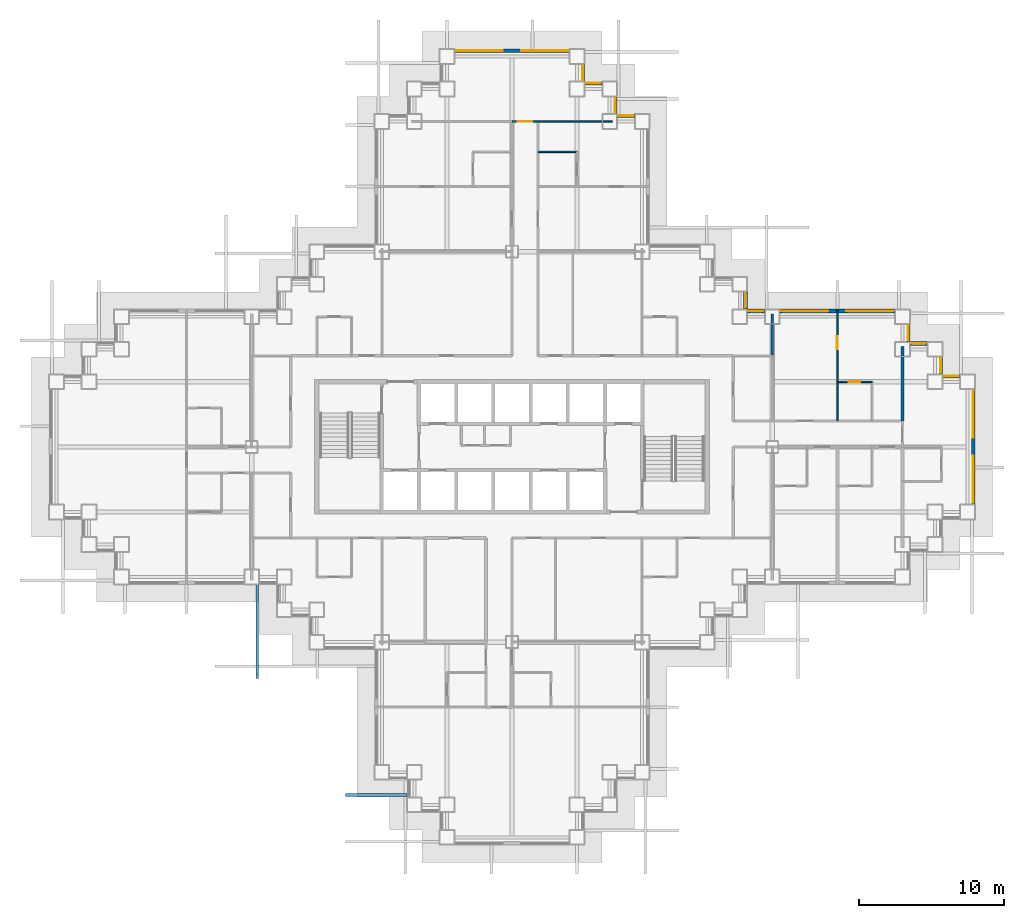
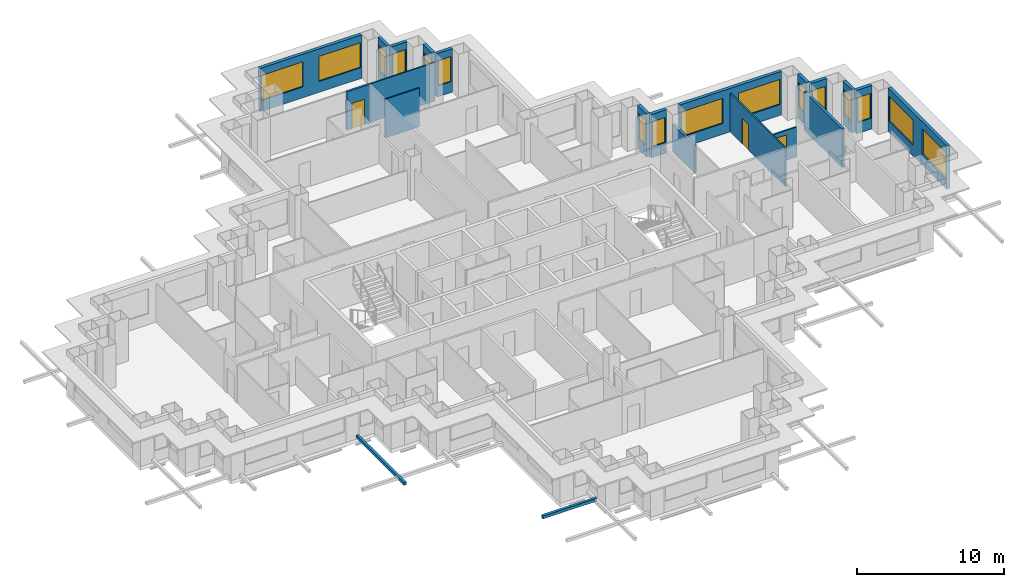
# One storey, part 9 of 15: 20 walls, 16 windows, 3 doors, 2 discrete accessories, 19 openings.
"""IFC4 building model written with IfcOpenShell, lengths in metres."""

from ifc_helpers import new_model, si_unit, direction, frame, frame_2d, origin, origin_2d, place, context, subcontext, project, spatial, rectangle, extrude, material, layer, layer_set, type_object, element, fill, save


model = new_model("IFC4")

# Units and contexts
model_context = context("Model", 3, precision=1e-05, world=origin(), true_north=direction((0.0, 1.0)))
body_context = subcontext(model_context, "Body", "Model", "MODEL_VIEW")
ifc_project = project(units=[si_unit("LENGTHUNIT", "METRE"), si_unit("AREAUNIT", "SQUARE_METRE"), si_unit("VOLUMEUNIT", "CUBIC_METRE"), si_unit("PLANEANGLEUNIT", "RADIAN"), si_unit("MASSUNIT", "GRAM", prefix="KILO")], contexts=[model_context])

# Site, building, storey
site_placement = place(None, origin())
site = spatial("IfcSite", under=ifc_project, at=site_placement, CompositionType="ELEMENT")
building_placement = place(site_placement, origin())
building = spatial("IfcBuilding", under=site, at=building_placement, Name="Caravel Reach Hotel and Residences", CompositionType="ELEMENT")
storey_placement = place(building_placement, frame((0.0, 0.0, 44.39990234375)))
storey = spatial("IfcBuildingStorey", under=building, at=storey_placement, Name="L09", CompositionType="ELEMENT", Elevation=44.39990234375)

# Wall, opening, door
ifc_material_1 = material(Name="Gypsum board on steel stud", Category="steel")
ifc_layer_1 = layer(ifc_material_1, 0.10009765625)
ifc_layer_set_1 = layer_set([ifc_layer_1], Name="Bathroom pod wall 100 mm")
wall_type_1 = type_object("IfcWallType", Name="Bathroom pod wall 100 mm", PredefinedType="PARTITIONING", material=ifc_layer_set_1)
wall_1_placement = place(storey_placement, frame((54.0, 31.5, 0.0), z_axis=(0.0, 0.0, 1.0), x_axis=(1.0, 0.0, 0.0)))
wall_1 = element("IfcWall", 1, at=wall_1_placement, inside=storey, type_object=wall_type_1, Name="L09 wall w084", PredefinedType="PARTITIONING", context=body_context, shape_type="SweptSolid", body=[
    extrude(rectangle(XDim=2.39990234375, YDim=0.10009765625, at=frame_2d((1.199951171875, 0.0))), origin(), (0.0, 0.0, 1.0), 2.47998046875),
])
opening_1_placement = place(wall_1_placement, frame((0.800048828125, 0.0, 0.0)))
opening_1 = element("IfcOpeningElement", 2, at=opening_1_placement, cuts=wall_1, Name="Opening D09-026", PredefinedType="OPENING", context=body_context, shape_type="SweptSolid", body=[
    extrude(rectangle(XDim=0.800048828125, YDim=2.10009765625, at=frame_2d((0.39990234375, 1.050048828125))), frame((0.0, 0.06005859375, 0.0), z_axis=(0.0, -1.0, 0.0), x_axis=(1.0, 0.0, 0.0)), (0.0, 0.0, 1.0), 0.1201171875),
])
ifc_material_2 = material(Name="Timber and steel door leaf", Category="steel")
door_type_1 = type_object("IfcDoorType", Name="Bathroom door 800 x 2100", OperationType="SINGLE_SWING_LEFT", PredefinedType="DOOR", material=ifc_material_2)
door_1_placement = place(opening_1_placement, origin())
door_1 = element("IfcDoor", 3, at=door_1_placement, inside=storey, type_object=door_type_1, Name="door D09-026", OperationType="SINGLE_SWING_RIGHT", OverallHeight=2.10009765625, OverallWidth=0.800048828125, PredefinedType="DOOR", context=body_context, shape_type="SweptSolid", body=[
    extrude(rectangle(XDim=0.800048828125, YDim=2.10009765625, at=frame_2d((0.39990234375, 1.050048828125))), frame((0.0, 0.02490234375, 0.0), z_axis=(0.0, -1.0, 0.0), x_axis=(1.0, 0.0, 0.0)), (0.0, 0.0, 1.0), 0.050048828125),
])
fill(opening_1, door_1)

# Wall
wall_2_placement = place(storey_placement, frame((33.300048828125, 47.39990234375, 0.0), z_axis=(0.0, 0.0, 1.0), x_axis=(1.0, 0.0, 0.0)))
element("IfcWall", 4, at=wall_2_placement, inside=storey, type_object=wall_type_1, Name="L09 wall w087", PredefinedType="PARTITIONING", context=body_context, shape_type="SweptSolid", body=[
    extrude(rectangle(XDim=2.699951171875, YDim=0.10009765625, at=frame_2d((1.35009765625, 0.0))), origin(), (0.0, 0.0, 1.0), 3.2001953125),
])

# Wall, opening, door
ifc_material_3 = material(Name="Gypsum board on steel stud, fire-rated", Category="steel")
ifc_layer_2 = layer(ifc_material_3, 0.14990234375)
ifc_layer_set_2 = layer_set([ifc_layer_2], Name="Corridor wall 150 mm EI 60")
wall_type_2 = type_object("IfcWallType", Name="Corridor wall 150 mm EI 60", PredefinedType="PARTITIONING", material=ifc_layer_set_2)
wall_3_placement = place(storey_placement, frame((31.5, 49.5, 0.0), z_axis=(0.0, 0.0, 1.0), x_axis=(1.0, 0.0, 0.0)))
wall_3 = element("IfcWall", 5, at=wall_3_placement, inside=storey, type_object=wall_type_2, Name="L09 wall w021", PredefinedType="PARTITIONING", context=body_context, shape_type="SweptSolid", body=[
    extrude(rectangle(XDim=1.800048828125, YDim=0.14990234375, at=frame_2d((0.89990234375, 0.0))), origin(), (0.0, 0.0, 1.0), 3.2001953125),
])
opening_2_placement = place(wall_3_placement, frame((0.39990234375, 0.0, 0.0)))
opening_2 = element("IfcOpeningElement", 6, at=opening_2_placement, cuts=wall_3, Name="Opening D09-040", PredefinedType="OPENING", context=body_context, shape_type="SweptSolid", body=[
    extrude(rectangle(XDim=1.0, YDim=2.10009765625, at=frame_2d((0.5, 1.050048828125))), frame((0.0, 0.0849609375, 0.0), z_axis=(0.0, -1.0, 0.0), x_axis=(1.0, 0.0, 0.0)), (0.0, 0.0, 1.0), 0.169921875),
])
ifc_material_4 = material(Name="Steel fire door leaf", Category="steel")
door_type_2 = type_object("IfcDoorType", Name="Guest room door 1000 x 2100 EI 30", OperationType="SINGLE_SWING_LEFT", PredefinedType="DOOR", material=ifc_material_4)
door_2_placement = place(opening_2_placement, origin())
door_2 = element("IfcDoor", 7, at=door_2_placement, inside=storey, type_object=door_type_2, Name="door D09-040", OperationType="SINGLE_SWING_RIGHT", OverallHeight=2.10009765625, OverallWidth=1.0, PredefinedType="DOOR", context=body_context, shape_type="SweptSolid", body=[
    extrude(rectangle(XDim=1.0, YDim=2.10009765625, at=frame_2d((0.5, 1.050048828125))), frame((0.0, 0.02490234375, 0.0), z_axis=(0.0, -1.0, 0.0), x_axis=(1.0, 0.0, 0.0)), (0.0, 0.0, 1.0), 0.050048828125),
])
fill(opening_2, door_2)

# Wall, openings, windows
ifc_material_5 = material(Name="Insulated rainscreen wall, aluminium cladding", Category="aluminium")
ifc_layer_3 = layer(ifc_material_5, 0.25)
ifc_layer_set_3 = layer_set([ifc_layer_3], Name="EW1 Tower rainscreen wall")
wall_type_3 = type_object("IfcWallType", Name="EW1 Tower rainscreen wall", PredefinedType="SOLIDWALL", material=ifc_layer_set_3)
wall_4_placement = place(storey_placement, frame((63.39990234375, 23.02490234375, 0.0), z_axis=(0.0, 0.0, 1.0), x_axis=(0.0, 1.0, 0.0)))
wall_4 = element("IfcWall", 8, at=wall_4_placement, inside=storey, type_object=wall_type_3, Name="External wall L09 E20.1", PredefinedType="SOLIDWALL", context=body_context, shape_type="SweptSolid", body=[
    extrude(rectangle(XDim=7.9501953125, YDim=0.25, at=frame_2d((3.97509765625, 0.0))), origin(), (0.0, 0.0, 1.0), 3.60009765625),
])
opening_3_placement = place(wall_4_placement, frame((0.10009765625, 0.0, 0.89990234375)))
opening_3 = element("IfcOpeningElement", 9, at=opening_3_placement, cuts=wall_4, Name="Opening WN2", PredefinedType="OPENING", context=body_context, shape_type="SweptSolid", body=[
    extrude(rectangle(XDim=3.25, YDim=2.080078125, at=frame_2d((1.625, 1.0400390625))), frame((0.0, 0.135009765625, 0.0), z_axis=(0.0, -1.0, 0.0), x_axis=(1.0, 0.0, 0.0)), (0.0, 0.0, 1.0), 0.27001953125),
])
opening_4_placement = place(wall_4_placement, frame((4.60009765625, 0.0, 0.89990234375)))
opening_4 = element("IfcOpeningElement", 10, at=opening_4_placement, cuts=wall_4, Name="Opening WN2", PredefinedType="OPENING", context=body_context, shape_type="SweptSolid", body=[
    extrude(rectangle(XDim=3.25, YDim=2.080078125, at=frame_2d((1.625, 1.0400390625))), frame((0.0, 0.135009765625, 0.0), z_axis=(0.0, -1.0, 0.0), x_axis=(1.0, 0.0, 0.0)), (0.0, 0.0, 1.0), 0.27001953125),
])
ifc_material_6 = material(Name="Dark low-e glazing in black aluminium frame", Category="aluminium")
window_type_1 = type_object("IfcWindowType", Name="Hotel guest room window 3250 x 2080", PartitioningType="SINGLE_PANEL", PredefinedType="WINDOW", material=ifc_material_6)
window_1_placement = place(opening_3_placement, origin())
window_1 = element("IfcWindow", 11, at=window_1_placement, inside=storey, type_object=window_type_1, Name="Window L09 E20.1.1", OverallHeight=2.080078125, OverallWidth=3.25, PartitioningType="SINGLE_PANEL", PredefinedType="WINDOW", context=body_context, shape_type="SweptSolid", body=[
    extrude(rectangle(XDim=3.25, YDim=2.080078125, at=frame_2d((1.625, 1.0400390625))), frame((0.0, 0.030029296875, 0.0), z_axis=(0.0, -1.0, 0.0), x_axis=(1.0, 0.0, 0.0)), (0.0, 0.0, 1.0), 0.06005859375),
])
fill(opening_3, window_1)
window_2_placement = place(opening_4_placement, origin())
window_2 = element("IfcWindow", 12, at=window_2_placement, inside=storey, type_object=window_type_1, Name="Window L09 E20.1.2", OverallHeight=2.080078125, OverallWidth=3.25, PartitioningType="SINGLE_PANEL", PredefinedType="WINDOW", context=body_context, shape_type="SweptSolid", body=[
    extrude(rectangle(XDim=3.25, YDim=2.080078125, at=frame_2d((1.625, 1.0400390625))), frame((0.0, 0.030029296875, 0.0), z_axis=(0.0, -1.0, 0.0), x_axis=(1.0, 0.0, 0.0)), (0.0, 0.0, 1.0), 0.06005859375),
])
fill(opening_4, window_2)

# Wall, opening, window
wall_5_placement = place(storey_placement, frame((62.47509765625, 31.89990234375, 0.0), z_axis=(0.0, 0.0, 1.0), x_axis=(-1.0, 0.0, 0.0)))
wall_5 = element("IfcWall", 13, at=wall_5_placement, inside=storey, type_object=wall_type_3, Name="External wall L09 N21.1", PredefinedType="SOLIDWALL", context=body_context, shape_type="SweptSolid", body=[
    extrude(rectangle(XDim=1.2001953125, YDim=0.25, at=frame_2d((0.60009765625, 0.0))), origin(), (0.0, 0.0, 1.0), 3.60009765625),
])
opening_5_placement = place(wall_5_placement, frame((0.10009765625, 0.0, 0.89990234375)))
opening_5 = element("IfcOpeningElement", 14, at=opening_5_placement, cuts=wall_5, Name="Opening WN1", PredefinedType="OPENING", context=body_context, shape_type="SweptSolid", body=[
    extrude(rectangle(XDim=1.0, YDim=2.080078125, at=frame_2d((0.5, 1.0400390625))), frame((0.0, 0.135009765625, 0.0), z_axis=(0.0, -1.0, 0.0), x_axis=(1.0, 0.0, 0.0)), (0.0, 0.0, 1.0), 0.27001953125),
])
ifc_material_7 = material(Name="Dark low-e glazing in black aluminium frame", Category="aluminium")
window_type_2 = type_object("IfcWindowType", Name="Hotel suite corner window 1000 x 2080", PartitioningType="SINGLE_PANEL", PredefinedType="WINDOW", material=ifc_material_7)
window_3_placement = place(opening_5_placement, origin())
window_3 = element("IfcWindow", 15, at=window_3_placement, inside=storey, type_object=window_type_2, Name="Window L09 N21.1.1", OverallHeight=2.080078125, OverallWidth=1.0, PartitioningType="SINGLE_PANEL", PredefinedType="WINDOW", context=body_context, shape_type="SweptSolid", body=[
    extrude(rectangle(XDim=1.0, YDim=2.080078125, at=frame_2d((0.5, 1.0400390625))), frame((0.0, 0.030029296875, 0.0), z_axis=(0.0, -1.0, 0.0), x_axis=(1.0, 0.0, 0.0)), (0.0, 0.0, 1.0), 0.06005859375),
])
fill(opening_5, window_3)

wall_6_placement = place(storey_placement, frame((61.14990234375, 32.02490234375, 0.0), z_axis=(0.0, 0.0, 1.0), x_axis=(0.0, 1.0, 0.0)))
wall_6 = element("IfcWall", 16, at=wall_6_placement, inside=storey, type_object=wall_type_3, Name="External wall L09 E22.1", PredefinedType="SOLIDWALL", context=body_context, shape_type="SweptSolid", body=[
    extrude(rectangle(XDim=1.2001953125, YDim=0.25, at=frame_2d((0.60009765625, 0.0))), origin(), (0.0, 0.0, 1.0), 3.60009765625),
])
opening_6_placement = place(wall_6_placement, frame((0.10009765625, 0.0, 0.89990234375)))
opening_6 = element("IfcOpeningElement", 17, at=opening_6_placement, cuts=wall_6, Name="Opening WN1", PredefinedType="OPENING", context=body_context, shape_type="SweptSolid", body=[
    extrude(rectangle(XDim=1.0, YDim=2.080078125, at=frame_2d((0.5, 1.0400390625))), frame((0.0, 0.135009765625, 0.0), z_axis=(0.0, -1.0, 0.0), x_axis=(1.0, 0.0, 0.0)), (0.0, 0.0, 1.0), 0.27001953125),
])
window_4_placement = place(opening_6_placement, origin())
window_4 = element("IfcWindow", 18, at=window_4_placement, inside=storey, type_object=window_type_2, Name="Window L09 E22.1.1", OverallHeight=2.080078125, OverallWidth=1.0, PartitioningType="SINGLE_PANEL", PredefinedType="WINDOW", context=body_context, shape_type="SweptSolid", body=[
    extrude(rectangle(XDim=1.0, YDim=2.080078125, at=frame_2d((0.5, 1.0400390625))), frame((0.0, 0.030029296875, 0.0), z_axis=(0.0, -1.0, 0.0), x_axis=(1.0, 0.0, 0.0)), (0.0, 0.0, 1.0), 0.06005859375),
])
fill(opening_6, window_4)

wall_7_placement = place(storey_placement, frame((60.22509765625, 34.14990234375, 0.0), z_axis=(0.0, 0.0, 1.0), x_axis=(-1.0, 0.0, 0.0)))
wall_7 = element("IfcWall", 19, at=wall_7_placement, inside=storey, type_object=wall_type_3, Name="External wall L09 N23.1", PredefinedType="SOLIDWALL", context=body_context, shape_type="SweptSolid", body=[
    extrude(rectangle(XDim=1.2001953125, YDim=0.25, at=frame_2d((0.60009765625, 0.0))), origin(), (0.0, 0.0, 1.0), 3.60009765625),
])
opening_7_placement = place(wall_7_placement, frame((0.10009765625, 0.0, 0.89990234375)))
opening_7 = element("IfcOpeningElement", 20, at=opening_7_placement, cuts=wall_7, Name="Opening WN1", PredefinedType="OPENING", context=body_context, shape_type="SweptSolid", body=[
    extrude(rectangle(XDim=1.0, YDim=2.080078125, at=frame_2d((0.5, 1.0400390625))), frame((0.0, 0.135009765625, 0.0), z_axis=(0.0, -1.0, 0.0), x_axis=(1.0, 0.0, 0.0)), (0.0, 0.0, 1.0), 0.27001953125),
])
window_5_placement = place(opening_7_placement, origin())
window_5 = element("IfcWindow", 21, at=window_5_placement, inside=storey, type_object=window_type_2, Name="Window L09 N23.1.1", OverallHeight=2.080078125, OverallWidth=1.0, PartitioningType="SINGLE_PANEL", PredefinedType="WINDOW", context=body_context, shape_type="SweptSolid", body=[
    extrude(rectangle(XDim=1.0, YDim=2.080078125, at=frame_2d((0.5, 1.0400390625))), frame((0.0, 0.030029296875, 0.0), z_axis=(0.0, -1.0, 0.0), x_axis=(1.0, 0.0, 0.0)), (0.0, 0.0, 1.0), 0.06005859375),
])
fill(opening_7, window_5)

wall_8_placement = place(storey_placement, frame((58.89990234375, 34.27490234375, 0.0), z_axis=(0.0, 0.0, 1.0), x_axis=(0.0, 1.0, 0.0)))
wall_8 = element("IfcWall", 22, at=wall_8_placement, inside=storey, type_object=wall_type_3, Name="External wall L09 E24.1", PredefinedType="SOLIDWALL", context=body_context, shape_type="SweptSolid", body=[
    extrude(rectangle(XDim=1.2001953125, YDim=0.25, at=frame_2d((0.60009765625, 0.0))), origin(), (0.0, 0.0, 1.0), 3.60009765625),
])
opening_8_placement = place(wall_8_placement, frame((0.10009765625, 0.0, 0.89990234375)))
opening_8 = element("IfcOpeningElement", 23, at=opening_8_placement, cuts=wall_8, Name="Opening WN1", PredefinedType="OPENING", context=body_context, shape_type="SweptSolid", body=[
    extrude(rectangle(XDim=1.0, YDim=2.080078125, at=frame_2d((0.5, 1.0400390625))), frame((0.0, 0.135009765625, 0.0), z_axis=(0.0, -1.0, 0.0), x_axis=(1.0, 0.0, 0.0)), (0.0, 0.0, 1.0), 0.27001953125),
])
window_6_placement = place(opening_8_placement, origin())
window_6 = element("IfcWindow", 24, at=window_6_placement, inside=storey, type_object=window_type_2, Name="Window L09 E24.1.1", OverallHeight=2.080078125, OverallWidth=1.0, PartitioningType="SINGLE_PANEL", PredefinedType="WINDOW", context=body_context, shape_type="SweptSolid", body=[
    extrude(rectangle(XDim=1.0, YDim=2.080078125, at=frame_2d((0.5, 1.0400390625))), frame((0.0, 0.030029296875, 0.0), z_axis=(0.0, -1.0, 0.0), x_axis=(1.0, 0.0, 0.0)), (0.0, 0.0, 1.0), 0.06005859375),
])
fill(opening_8, window_6)

# Wall, openings, windows
wall_9_placement = place(storey_placement, frame((57.97509765625, 36.39990234375, 0.0), z_axis=(0.0, 0.0, 1.0), x_axis=(-1.0, 0.0, 0.0)))
wall_9 = element("IfcWall", 25, at=wall_9_placement, inside=storey, type_object=wall_type_3, Name="External wall L09 N25.1", PredefinedType="SOLIDWALL", context=body_context, shape_type="SweptSolid", body=[
    extrude(rectangle(XDim=7.9501953125, YDim=0.25, at=frame_2d((3.97509765625, 0.0))), origin(), (0.0, 0.0, 1.0), 3.60009765625),
])
opening_9_placement = place(wall_9_placement, frame((0.10009765625, 0.0, 0.89990234375)))
opening_9 = element("IfcOpeningElement", 26, at=opening_9_placement, cuts=wall_9, Name="Opening WN2", PredefinedType="OPENING", context=body_context, shape_type="SweptSolid", body=[
    extrude(rectangle(XDim=3.25, YDim=2.080078125, at=frame_2d((1.625, 1.0400390625))), frame((0.0, 0.135009765625, 0.0), z_axis=(0.0, -1.0, 0.0), x_axis=(1.0, 0.0, 0.0)), (0.0, 0.0, 1.0), 0.27001953125),
])
opening_10_placement = place(wall_9_placement, frame((4.60009765625, 0.0, 0.89990234375)))
opening_10 = element("IfcOpeningElement", 27, at=opening_10_placement, cuts=wall_9, Name="Opening WN2", PredefinedType="OPENING", context=body_context, shape_type="SweptSolid", body=[
    extrude(rectangle(XDim=3.25, YDim=2.080078125, at=frame_2d((1.625, 1.0400390625))), frame((0.0, 0.135009765625, 0.0), z_axis=(0.0, -1.0, 0.0), x_axis=(1.0, 0.0, 0.0)), (0.0, 0.0, 1.0), 0.27001953125),
])
window_7_placement = place(opening_9_placement, origin())
window_7 = element("IfcWindow", 28, at=window_7_placement, inside=storey, type_object=window_type_1, Name="Window L09 N25.1.1", OverallHeight=2.080078125, OverallWidth=3.25, PartitioningType="SINGLE_PANEL", PredefinedType="WINDOW", context=body_context, shape_type="SweptSolid", body=[
    extrude(rectangle(XDim=3.25, YDim=2.080078125, at=frame_2d((1.625, 1.0400390625))), frame((0.0, 0.030029296875, 0.0), z_axis=(0.0, -1.0, 0.0), x_axis=(1.0, 0.0, 0.0)), (0.0, 0.0, 1.0), 0.06005859375),
])
fill(opening_9, window_7)
window_8_placement = place(opening_10_placement, origin())
window_8 = element("IfcWindow", 29, at=window_8_placement, inside=storey, type_object=window_type_1, Name="Window L09 N25.1.2", OverallHeight=2.080078125, OverallWidth=3.25, PartitioningType="SINGLE_PANEL", PredefinedType="WINDOW", context=body_context, shape_type="SweptSolid", body=[
    extrude(rectangle(XDim=3.25, YDim=2.080078125, at=frame_2d((1.625, 1.0400390625))), frame((0.0, 0.030029296875, 0.0), z_axis=(0.0, -1.0, 0.0), x_axis=(1.0, 0.0, 0.0)), (0.0, 0.0, 1.0), 0.06005859375),
])
fill(opening_10, window_8)

# Wall, opening, window
wall_10_placement = place(storey_placement, frame((48.97509765625, 36.39990234375, 0.0), z_axis=(0.0, 0.0, 1.0), x_axis=(-1.0, 0.0, 0.0)))
wall_10 = element("IfcWall", 30, at=wall_10_placement, inside=storey, type_object=wall_type_3, Name="External wall L09 N25.2", PredefinedType="SOLIDWALL", context=body_context, shape_type="SweptSolid", body=[
    extrude(rectangle(XDim=1.2001953125, YDim=0.25, at=frame_2d((0.60009765625, 0.0))), origin(), (0.0, 0.0, 1.0), 3.60009765625),
])
opening_11_placement = place(wall_10_placement, frame((0.10009765625, 0.0, 0.89990234375)))
opening_11 = element("IfcOpeningElement", 31, at=opening_11_placement, cuts=wall_10, Name="Opening WN1", PredefinedType="OPENING", context=body_context, shape_type="SweptSolid", body=[
    extrude(rectangle(XDim=1.0, YDim=2.080078125, at=frame_2d((0.5, 1.0400390625))), frame((0.0, 0.135009765625, 0.0), z_axis=(0.0, -1.0, 0.0), x_axis=(1.0, 0.0, 0.0)), (0.0, 0.0, 1.0), 0.27001953125),
])
window_9_placement = place(opening_11_placement, origin())
window_9 = element("IfcWindow", 32, at=window_9_placement, inside=storey, type_object=window_type_2, Name="Window L09 N25.2.1", OverallHeight=2.080078125, OverallWidth=1.0, PartitioningType="SINGLE_PANEL", PredefinedType="WINDOW", context=body_context, shape_type="SweptSolid", body=[
    extrude(rectangle(XDim=1.0, YDim=2.080078125, at=frame_2d((0.5, 1.0400390625))), frame((0.0, 0.030029296875, 0.0), z_axis=(0.0, -1.0, 0.0), x_axis=(1.0, 0.0, 0.0)), (0.0, 0.0, 1.0), 0.06005859375),
])
fill(opening_11, window_9)

wall_11_placement = place(storey_placement, frame((47.64990234375, 36.52490234375, 0.0), z_axis=(0.0, 0.0, 1.0), x_axis=(0.0, 1.0, 0.0)))
wall_11 = element("IfcWall", 33, at=wall_11_placement, inside=storey, type_object=wall_type_3, Name="External wall L09 E26.1", PredefinedType="SOLIDWALL", context=body_context, shape_type="SweptSolid", body=[
    extrude(rectangle(XDim=1.2001953125, YDim=0.25, at=frame_2d((0.60009765625, 0.0))), origin(), (0.0, 0.0, 1.0), 3.60009765625),
])
opening_12_placement = place(wall_11_placement, frame((0.10009765625, 0.0, 0.89990234375)))
opening_12 = element("IfcOpeningElement", 34, at=opening_12_placement, cuts=wall_11, Name="Opening WN1", PredefinedType="OPENING", context=body_context, shape_type="SweptSolid", body=[
    extrude(rectangle(XDim=1.0, YDim=2.080078125, at=frame_2d((0.5, 1.0400390625))), frame((0.0, 0.135009765625, 0.0), z_axis=(0.0, -1.0, 0.0), x_axis=(1.0, 0.0, 0.0)), (0.0, 0.0, 1.0), 0.27001953125),
])
window_10_placement = place(opening_12_placement, origin())
window_10 = element("IfcWindow", 35, at=window_10_placement, inside=storey, type_object=window_type_2, Name="Window L09 E26.1.1", OverallHeight=2.080078125, OverallWidth=1.0, PartitioningType="SINGLE_PANEL", PredefinedType="WINDOW", context=body_context, shape_type="SweptSolid", body=[
    extrude(rectangle(XDim=1.0, YDim=2.080078125, at=frame_2d((0.5, 1.0400390625))), frame((0.0, 0.030029296875, 0.0), z_axis=(0.0, -1.0, 0.0), x_axis=(1.0, 0.0, 0.0)), (0.0, 0.0, 1.0), 0.06005859375),
])
fill(opening_12, window_10)

wall_12_placement = place(storey_placement, frame((39.97509765625, 49.89990234375, 0.0), z_axis=(0.0, 0.0, 1.0), x_axis=(-1.0, 0.0, 0.0)))
wall_12 = element("IfcWall", 36, at=wall_12_placement, inside=storey, type_object=wall_type_3, Name="External wall L09 N31.1", PredefinedType="SOLIDWALL", context=body_context, shape_type="SweptSolid", body=[
    extrude(rectangle(XDim=1.2001953125, YDim=0.25, at=frame_2d((0.60009765625, 0.0))), origin(), (0.0, 0.0, 1.0), 3.60009765625),
])
opening_13_placement = place(wall_12_placement, frame((0.10009765625, 0.0, 0.89990234375)))
opening_13 = element("IfcOpeningElement", 37, at=opening_13_placement, cuts=wall_12, Name="Opening WN1", PredefinedType="OPENING", context=body_context, shape_type="SweptSolid", body=[
    extrude(rectangle(XDim=1.0, YDim=2.080078125, at=frame_2d((0.5, 1.0400390625))), frame((0.0, 0.135009765625, 0.0), z_axis=(0.0, -1.0, 0.0), x_axis=(1.0, 0.0, 0.0)), (0.0, 0.0, 1.0), 0.27001953125),
])
window_11_placement = place(opening_13_placement, origin())
window_11 = element("IfcWindow", 38, at=window_11_placement, inside=storey, type_object=window_type_2, Name="Window L09 N31.1.1", OverallHeight=2.080078125, OverallWidth=1.0, PartitioningType="SINGLE_PANEL", PredefinedType="WINDOW", context=body_context, shape_type="SweptSolid", body=[
    extrude(rectangle(XDim=1.0, YDim=2.080078125, at=frame_2d((0.5, 1.0400390625))), frame((0.0, 0.030029296875, 0.0), z_axis=(0.0, -1.0, 0.0), x_axis=(1.0, 0.0, 0.0)), (0.0, 0.0, 1.0), 0.06005859375),
])
fill(opening_13, window_11)

wall_13_placement = place(storey_placement, frame((38.64990234375, 50.02490234375, 0.0), z_axis=(0.0, 0.0, 1.0), x_axis=(0.0, 1.0, 0.0)))
wall_13 = element("IfcWall", 39, at=wall_13_placement, inside=storey, type_object=wall_type_3, Name="External wall L09 E32.1", PredefinedType="SOLIDWALL", context=body_context, shape_type="SweptSolid", body=[
    extrude(rectangle(XDim=1.2001953125, YDim=0.25, at=frame_2d((0.60009765625, 0.0))), origin(), (0.0, 0.0, 1.0), 3.60009765625),
])
opening_14_placement = place(wall_13_placement, frame((0.10009765625, 0.0, 0.89990234375)))
opening_14 = element("IfcOpeningElement", 40, at=opening_14_placement, cuts=wall_13, Name="Opening WN1", PredefinedType="OPENING", context=body_context, shape_type="SweptSolid", body=[
    extrude(rectangle(XDim=1.0, YDim=2.080078125, at=frame_2d((0.5, 1.0400390625))), frame((0.0, 0.135009765625, 0.0), z_axis=(0.0, -1.0, 0.0), x_axis=(1.0, 0.0, 0.0)), (0.0, 0.0, 1.0), 0.27001953125),
])
window_12_placement = place(opening_14_placement, origin())
window_12 = element("IfcWindow", 41, at=window_12_placement, inside=storey, type_object=window_type_2, Name="Window L09 E32.1.1", OverallHeight=2.080078125, OverallWidth=1.0, PartitioningType="SINGLE_PANEL", PredefinedType="WINDOW", context=body_context, shape_type="SweptSolid", body=[
    extrude(rectangle(XDim=1.0, YDim=2.080078125, at=frame_2d((0.5, 1.0400390625))), frame((0.0, 0.030029296875, 0.0), z_axis=(0.0, -1.0, 0.0), x_axis=(1.0, 0.0, 0.0)), (0.0, 0.0, 1.0), 0.06005859375),
])
fill(opening_14, window_12)

wall_14_placement = place(storey_placement, frame((37.72509765625, 52.14990234375, 0.0), z_axis=(0.0, 0.0, 1.0), x_axis=(-1.0, 0.0, 0.0)))
wall_14 = element("IfcWall", 42, at=wall_14_placement, inside=storey, type_object=wall_type_3, Name="External wall L09 N33.1", PredefinedType="SOLIDWALL", context=body_context, shape_type="SweptSolid", body=[
    extrude(rectangle(XDim=1.2001953125, YDim=0.25, at=frame_2d((0.60009765625, 0.0))), origin(), (0.0, 0.0, 1.0), 3.60009765625),
])
opening_15_placement = place(wall_14_placement, frame((0.10009765625, 0.0, 0.89990234375)))
opening_15 = element("IfcOpeningElement", 43, at=opening_15_placement, cuts=wall_14, Name="Opening WN1", PredefinedType="OPENING", context=body_context, shape_type="SweptSolid", body=[
    extrude(rectangle(XDim=1.0, YDim=2.080078125, at=frame_2d((0.5, 1.0400390625))), frame((0.0, 0.135009765625, 0.0), z_axis=(0.0, -1.0, 0.0), x_axis=(1.0, 0.0, 0.0)), (0.0, 0.0, 1.0), 0.27001953125),
])
window_13_placement = place(opening_15_placement, origin())
window_13 = element("IfcWindow", 44, at=window_13_placement, inside=storey, type_object=window_type_2, Name="Window L09 N33.1.1", OverallHeight=2.080078125, OverallWidth=1.0, PartitioningType="SINGLE_PANEL", PredefinedType="WINDOW", context=body_context, shape_type="SweptSolid", body=[
    extrude(rectangle(XDim=1.0, YDim=2.080078125, at=frame_2d((0.5, 1.0400390625))), frame((0.0, 0.030029296875, 0.0), z_axis=(0.0, -1.0, 0.0), x_axis=(1.0, 0.0, 0.0)), (0.0, 0.0, 1.0), 0.06005859375),
])
fill(opening_15, window_13)

wall_15_placement = place(storey_placement, frame((36.39990234375, 52.27490234375, 0.0), z_axis=(0.0, 0.0, 1.0), x_axis=(0.0, 1.0, 0.0)))
wall_15 = element("IfcWall", 45, at=wall_15_placement, inside=storey, type_object=wall_type_3, Name="External wall L09 E34.1", PredefinedType="SOLIDWALL", context=body_context, shape_type="SweptSolid", body=[
    extrude(rectangle(XDim=1.2001953125, YDim=0.25, at=frame_2d((0.60009765625, 0.0))), origin(), (0.0, 0.0, 1.0), 3.60009765625),
])
opening_16_placement = place(wall_15_placement, frame((0.10009765625, 0.0, 0.89990234375)))
opening_16 = element("IfcOpeningElement", 46, at=opening_16_placement, cuts=wall_15, Name="Opening WN1", PredefinedType="OPENING", context=body_context, shape_type="SweptSolid", body=[
    extrude(rectangle(XDim=1.0, YDim=2.080078125, at=frame_2d((0.5, 1.0400390625))), frame((0.0, 0.135009765625, 0.0), z_axis=(0.0, -1.0, 0.0), x_axis=(1.0, 0.0, 0.0)), (0.0, 0.0, 1.0), 0.27001953125),
])
window_14_placement = place(opening_16_placement, origin())
window_14 = element("IfcWindow", 47, at=window_14_placement, inside=storey, type_object=window_type_2, Name="Window L09 E34.1.1", OverallHeight=2.080078125, OverallWidth=1.0, PartitioningType="SINGLE_PANEL", PredefinedType="WINDOW", context=body_context, shape_type="SweptSolid", body=[
    extrude(rectangle(XDim=1.0, YDim=2.080078125, at=frame_2d((0.5, 1.0400390625))), frame((0.0, 0.030029296875, 0.0), z_axis=(0.0, -1.0, 0.0), x_axis=(1.0, 0.0, 0.0)), (0.0, 0.0, 1.0), 0.06005859375),
])
fill(opening_16, window_14)

# Wall, openings, windows
wall_16_placement = place(storey_placement, frame((35.47509765625, 54.39990234375, 0.0), z_axis=(0.0, 0.0, 1.0), x_axis=(-1.0, 0.0, 0.0)))
wall_16 = element("IfcWall", 48, at=wall_16_placement, inside=storey, type_object=wall_type_3, Name="External wall L09 N35.1", PredefinedType="SOLIDWALL", context=body_context, shape_type="SweptSolid", body=[
    extrude(rectangle(XDim=7.9501953125, YDim=0.25, at=frame_2d((3.97509765625, 0.0))), origin(), (0.0, 0.0, 1.0), 3.60009765625),
])
opening_17_placement = place(wall_16_placement, frame((0.10009765625, 0.0, 0.89990234375)))
opening_17 = element("IfcOpeningElement", 49, at=opening_17_placement, cuts=wall_16, Name="Opening WN2", PredefinedType="OPENING", context=body_context, shape_type="SweptSolid", body=[
    extrude(rectangle(XDim=3.25, YDim=2.080078125, at=frame_2d((1.625, 1.0400390625))), frame((0.0, 0.135009765625, 0.0), z_axis=(0.0, -1.0, 0.0), x_axis=(1.0, 0.0, 0.0)), (0.0, 0.0, 1.0), 0.27001953125),
])
opening_18_placement = place(wall_16_placement, frame((4.60009765625, 0.0, 0.89990234375)))
opening_18 = element("IfcOpeningElement", 50, at=opening_18_placement, cuts=wall_16, Name="Opening WN2", PredefinedType="OPENING", context=body_context, shape_type="SweptSolid", body=[
    extrude(rectangle(XDim=3.25, YDim=2.080078125, at=frame_2d((1.625, 1.0400390625))), frame((0.0, 0.135009765625, 0.0), z_axis=(0.0, -1.0, 0.0), x_axis=(1.0, 0.0, 0.0)), (0.0, 0.0, 1.0), 0.27001953125),
])
window_15_placement = place(opening_17_placement, origin())
window_15 = element("IfcWindow", 51, at=window_15_placement, inside=storey, type_object=window_type_1, Name="Window L09 N35.1.1", OverallHeight=2.080078125, OverallWidth=3.25, PartitioningType="SINGLE_PANEL", PredefinedType="WINDOW", context=body_context, shape_type="SweptSolid", body=[
    extrude(rectangle(XDim=3.25, YDim=2.080078125, at=frame_2d((1.625, 1.0400390625))), frame((0.0, 0.030029296875, 0.0), z_axis=(0.0, -1.0, 0.0), x_axis=(1.0, 0.0, 0.0)), (0.0, 0.0, 1.0), 0.06005859375),
])
fill(opening_17, window_15)
window_16_placement = place(opening_18_placement, origin())
window_16 = element("IfcWindow", 52, at=window_16_placement, inside=storey, type_object=window_type_1, Name="Window L09 N35.1.2", OverallHeight=2.080078125, OverallWidth=3.25, PartitioningType="SINGLE_PANEL", PredefinedType="WINDOW", context=body_context, shape_type="SweptSolid", body=[
    extrude(rectangle(XDim=3.25, YDim=2.080078125, at=frame_2d((1.625, 1.0400390625))), frame((0.0, 0.030029296875, 0.0), z_axis=(0.0, -1.0, 0.0), x_axis=(1.0, 0.0, 0.0)), (0.0, 0.0, 1.0), 0.06005859375),
])
fill(opening_18, window_16)

# Wall
ifc_material_8 = material(Name="Gypsum board on steel stud", Category="steel")
ifc_layer_4 = layer(ifc_material_8, 0.10009765625)
ifc_layer_set_4 = layer_set([ifc_layer_4], Name="Partition 100 mm")
wall_type_4 = type_object("IfcWallType", Name="Partition 100 mm", PredefinedType="PARTITIONING", material=ifc_layer_set_4)
wall_17_placement = place(storey_placement, frame((33.300048828125, 49.5, 0.0), z_axis=(0.0, 0.0, 1.0), x_axis=(1.0, 0.0, 0.0)))
element("IfcWall", 53, at=wall_17_placement, inside=storey, type_object=wall_type_4, Name="L09 wall w050", PredefinedType="PARTITIONING", context=body_context, shape_type="SweptSolid", body=[
    extrude(rectangle(XDim=5.139892578125, YDim=0.10009765625, at=frame_2d((2.56982421875, 0.0))), origin(), (0.0, 0.0, 1.0), 3.2001953125),
])

# Wall, opening, door
wall_18_placement = place(storey_placement, frame((54.0, 28.800048828125, 0.0), z_axis=(0.0, 0.0, 1.0), x_axis=(0.0, 1.0, 0.0)))
wall_18 = element("IfcWall", 54, at=wall_18_placement, inside=storey, type_object=wall_type_4, Name="L09 wall w064", PredefinedType="PARTITIONING", context=body_context, shape_type="SweptSolid", body=[
    extrude(rectangle(XDim=7.6650390625, YDim=0.10009765625, at=frame_2d((3.83251953125, 0.0))), origin(), (0.0, 0.0, 1.0), 3.2001953125),
])
opening_19_placement = place(wall_18_placement, frame((4.949951171875, 0.0, 0.0)))
opening_19 = element("IfcOpeningElement", 55, at=opening_19_placement, cuts=wall_18, Name="Opening D09-025", PredefinedType="OPENING", context=body_context, shape_type="SweptSolid", body=[
    extrude(rectangle(XDim=0.89990234375, YDim=2.10009765625, at=frame_2d((0.449951171875, 1.050048828125))), frame((0.0, 0.06005859375, 0.0), z_axis=(0.0, -1.0, 0.0), x_axis=(1.0, 0.0, 0.0)), (0.0, 0.0, 1.0), 0.1201171875),
])
ifc_material_9 = material(Name="Timber and steel door leaf", Category="steel")
door_type_3 = type_object("IfcDoorType", Name="Door 900 x 2100 timber", OperationType="SINGLE_SWING_LEFT", PredefinedType="DOOR", material=ifc_material_9)
door_3_placement = place(opening_19_placement, origin())
door_3 = element("IfcDoor", 56, at=door_3_placement, inside=storey, type_object=door_type_3, Name="door D09-025", OperationType="SINGLE_SWING_RIGHT", OverallHeight=2.10009765625, OverallWidth=0.89990234375, PredefinedType="DOOR", context=body_context, shape_type="SweptSolid", body=[
    extrude(rectangle(XDim=0.89990234375, YDim=2.10009765625, at=frame_2d((0.449951171875, 1.050048828125))), frame((0.0, 0.02490234375, 0.0), z_axis=(0.0, -1.0, 0.0), x_axis=(1.0, 0.0, 0.0)), (0.0, 0.0, 1.0), 0.050048828125),
])
fill(opening_19, door_3)

# Walls
ifc_material_10 = material(Name="Autoclaved aerated block wall")
ifc_layer_5 = layer(ifc_material_10, 0.199951171875)
ifc_layer_set_5 = layer_set([ifc_layer_5], Name="Party wall 200 mm EI 60")
wall_type_5 = type_object("IfcWallType", Name="Party wall 200 mm EI 60", PredefinedType="PARTITIONING", material=ifc_layer_set_5)
wall_19_placement = place(storey_placement, frame((49.5, 33.300048828125, 0.0), z_axis=(0.0, 0.0, 1.0), x_axis=(0.0, 1.0, 0.0)))
element("IfcWall", 57, at=wall_19_placement, inside=storey, type_object=wall_type_5, Name="L09 wall w070", PredefinedType="PARTITIONING", context=body_context, shape_type="SweptSolid", body=[
    extrude(rectangle(XDim=2.889892578125, YDim=0.199951171875, at=frame_2d((1.44482421875, 0.0))), origin(), (0.0, 0.0, 1.0), 2.280029296875),
])
wall_20_placement = place(storey_placement, frame((58.5, 28.800048828125, 0.0), z_axis=(0.0, 0.0, 1.0), x_axis=(0.0, 1.0, 0.0)))
element("IfcWall", 58, at=wall_20_placement, inside=storey, type_object=wall_type_5, Name="L09 wall w073", PredefinedType="PARTITIONING", context=body_context, shape_type="SweptSolid", body=[
    extrude(rectangle(XDim=5.139892578125, YDim=0.199951171875, at=frame_2d((2.56982421875, 0.0))), origin(), (0.0, 0.0, 1.0), 3.2001953125),
])

# Discrete accessories
ifc_material_11 = material(Name="Black powder-coated aluminium", Category="aluminium")
discrete_accessory_type = type_object("IfcDiscreteAccessoryType", Name="BR1 Screen bracket", PredefinedType="BRACKET", material=ifc_material_11)
discrete_accessory_1_placement = place(storey_placement, frame((22.10009765625, 2.92822265625, 0.10009765625), z_axis=(0.0, 0.0, 1.0), x_axis=(-1.0, 0.0, 0.0)))
element("IfcDiscreteAccessory", 59, at=discrete_accessory_1_placement, inside=storey, type_object=discrete_accessory_type, Name="Screen bracket L09 1.2.2", PredefinedType="BRACKET", context=body_context, shape_type="SweptSolid", body=[
    extrude(rectangle(XDim=4.25, YDim=0.199951171875, at=origin_2d()), origin(), (0.0, 0.0, 1.0), 0.25),
])
discrete_accessory_2_placement = place(storey_placement, frame((13.8798828125, 14.22509765625, 0.10009765625), z_axis=(0.0, 0.0, 1.0), x_axis=(0.0, -1.0, 0.0)))
element("IfcDiscreteAccessory", 60, at=discrete_accessory_2_placement, inside=storey, type_object=discrete_accessory_type, Name="Screen bracket L09 20.1.2", PredefinedType="BRACKET", context=body_context, shape_type="SweptSolid", body=[
    extrude(rectangle(XDim=6.5, YDim=0.199951171875, at=origin_2d()), origin(), (0.0, 0.0, 1.0), 0.25),
])

save(model, "model.ifc")
